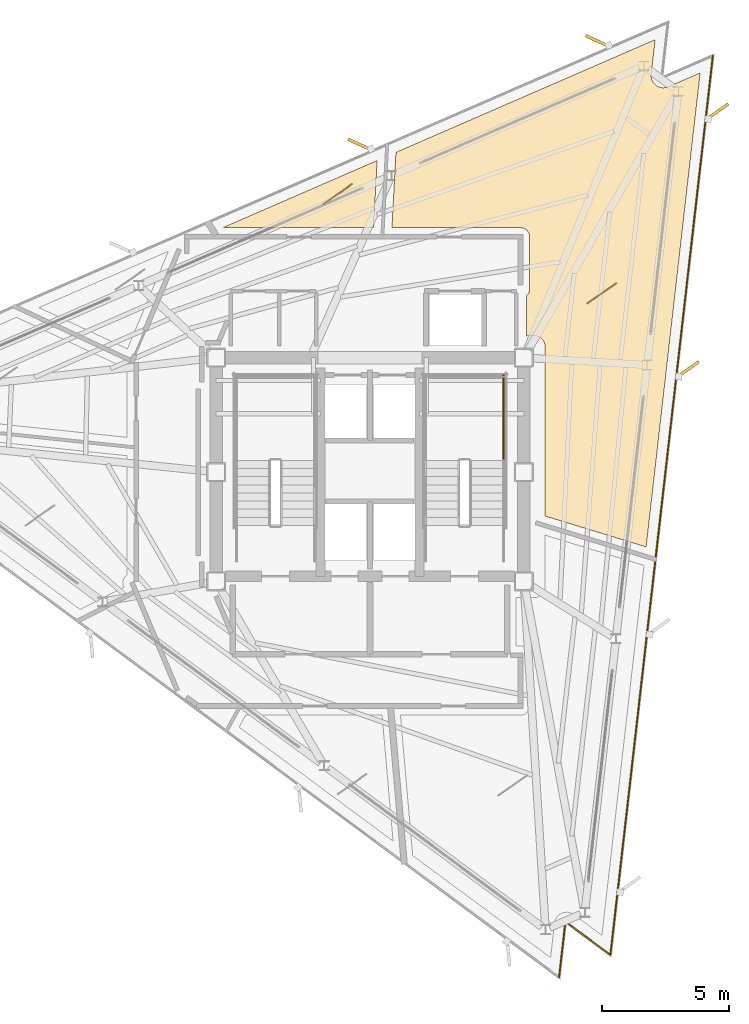
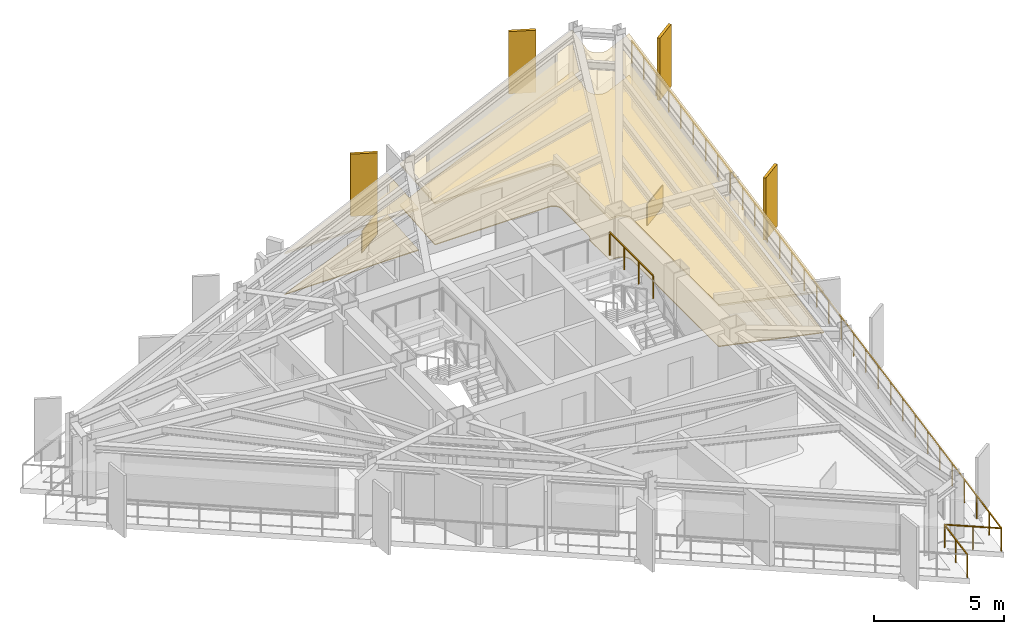
# One storey, part 10 of 10: 6 coverings, 4 shading devices, 2 railings.
"""IFC4 building model written with IfcOpenShell, lengths in metres."""

from ifc_helpers import new_model, si_unit, direction, frame, origin, origin_2d, place, context, subcontext, project, spatial, polyline, rectangle, outline, extrude, material, layer, layer_set, type_object, element, save


model = new_model("IFC4")

# Units and contexts
model_context = context("Model", 3, precision=1e-05, world=origin(), true_north=direction((0.0, 1.0)))
body_context = subcontext(model_context, "Body", "Model", "MODEL_VIEW")
ifc_project = project(units=[si_unit("LENGTHUNIT", "METRE"), si_unit("AREAUNIT", "SQUARE_METRE"), si_unit("VOLUMEUNIT", "CUBIC_METRE"), si_unit("PLANEANGLEUNIT", "RADIAN"), si_unit("MASSUNIT", "GRAM", prefix="KILO")], contexts=[model_context])

# Site, building, storey
site_placement = place(None, origin())
site = spatial("IfcSite", under=ifc_project, at=site_placement, CompositionType="ELEMENT")
building_placement = place(site_placement, origin())
building = spatial("IfcBuilding", under=site, at=building_placement, Name="Rocaltana Carrier Exchange", CompositionType="ELEMENT")
storey_placement = place(building_placement, frame((0.0, 0.0, 224.0)))
storey = spatial("IfcBuildingStorey", under=building, at=storey_placement, Name="L71", CompositionType="ELEMENT", Elevation=224.0)

# Coverings
ifc_material_1 = material(Name="Honed Bogota Sandstone Tile", Category="masonry")
ifc_layer_1 = layer(ifc_material_1, 0.0400390625)
ifc_layer_set_1 = layer_set([ifc_layer_1], Name="Honed Bogota Sandstone Tile")
covering_type_1 = type_object("IfcCoveringType", Name="Honed Stone Lobby Flooring 40", PredefinedType="FLOORING", material=ifc_layer_set_1)
covering_1_placement = place(storey_placement, origin())
element("IfcCovering", 1, at=covering_1_placement, inside=storey, type_object=covering_type_1, Name="L71 Cloud Architecture Office Finish Floor", PredefinedType="FLOORING", context=body_context, shape_type="SweptSolid", body=[
    extrude(outline(polyline([(6.159912109375, 6.931884765625), (6.16455078125, 6.93603515625), (6.18408203125, 6.955322265625), (6.189208984375, 6.961181640625), (6.206787109375, 6.982421875), (6.21142578125, 6.98876953125), (6.226806640625, 7.01171875), (6.230712890625, 7.018310546875), (6.24365234375, 7.04248046875), (6.2470703125, 7.0498046875), (6.257568359375, 7.0751953125), (6.26025390625, 7.08251953125), (6.268310546875, 7.108642578125), (6.27001953125, 7.116455078125), (6.275390625, 7.143310546875), (6.276611328125, 7.151123046875), (6.279296875, 7.178466796875), (6.27978515625, 7.186279296875), (6.280029296875, 7.199951171875), (6.280029296875, 9.25), (6.27978515625, 9.263671875), (6.279296875, 9.271484375), (6.276611328125, 9.298828125), (6.275390625, 9.306640625), (6.27001953125, 9.33349609375), (6.268310546875, 9.34130859375), (6.26025390625, 9.36767578125), (6.257568359375, 9.375), (6.2470703125, 9.400390625), (6.24365234375, 9.407470703125), (6.230712890625, 9.431640625), (6.226806640625, 9.4384765625), (6.21142578125, 9.461181640625), (6.206787109375, 9.467529296875), (6.189208984375, 9.48876953125), (6.18408203125, 9.49462890625), (6.16455078125, 9.513916015625), (6.15869140625, 9.519287109375), (6.137451171875, 9.53662109375), (6.131103515625, 9.54150390625), (6.1083984375, 9.556640625), (6.101806640625, 9.560791015625), (6.077392578125, 9.57373046875), (6.0703125, 9.576904296875), (6.044921875, 9.58740234375), (6.03759765625, 9.590087890625), (6.01123046875, 9.59814453125), (6.003662109375, 9.60009765625), (5.976806640625, 9.60546875), (5.968994140625, 9.606689453125), (5.941650390625, 9.609375), (5.93359375, 9.609619140625), (5.919921875, 9.610107421875), (0.864013671875, 9.610107421875), (1.01953125, 12.57421875), (11.217041015625, 17.00830078125), (11.06201171875, 15.648193359375), (11.060791015625, 15.634521484375), (11.0595703125, 15.614501953125), (11.05908203125, 15.586669921875), (11.059814453125, 15.566650390625), (11.062255859375, 15.538818359375), (11.06494140625, 15.51904296875), (11.070068359375, 15.49169921875), (11.07470703125, 15.472412109375), (11.08251953125, 15.445556640625), (11.089111328125, 15.4267578125), (11.099609375, 15.40087890625), (11.10791015625, 15.3828125), (11.12109375, 15.358154296875), (11.131103515625, 15.3408203125), (11.146484375, 15.317626953125), (11.158447265625, 15.301513671875), (11.176025390625, 15.27978515625), (11.189453125, 15.26513671875), (11.209228515625, 15.245361328125), (11.223876953125, 15.23193359375), (11.24560546875, 15.21435546875), (11.261474609375, 15.202392578125), (11.284912109375, 15.18701171875), (11.302001953125, 15.1767578125), (11.32666015625, 15.163818359375), (11.344482421875, 15.1552734375), (11.37060546875, 15.144775390625), (11.389404296875, 15.13818359375), (11.416015625, 15.130126953125), (11.435302734375, 15.12548828125), (11.462890625, 15.1201171875), (11.482666015625, 15.117431640625), (11.510498046875, 15.114990234375), (11.5302734375, 15.1142578125), (11.55810546875, 15.114501953125), (11.578125, 15.11572265625), (11.60595703125, 15.118896484375), (11.62548828125, 15.1220703125), (11.65283203125, 15.1279296875), (11.672119140625, 15.133056640625), (11.69873046875, 15.1416015625), (11.71728515625, 15.148681640625), (11.730224609375, 15.15380859375), (12.985595703125, 15.699462890625), (10.861328125, -2.944091796875), (6.889892578125, -1.72998046875), (6.889892578125, 4.919921875), (6.8896484375, 4.93359375), (6.888916015625, 4.949462890625), (6.88623046875, 4.976806640625), (6.8837890625, 4.9921875), (6.87841796875, 5.019287109375), (6.874755859375, 5.034423828125), (6.86669921875, 5.060791015625), (6.861572265625, 5.07568359375), (6.850830078125, 5.100830078125), (6.84423828125, 5.114990234375), (6.831298828125, 5.139404296875), (6.8232421875, 5.15283203125), (6.807861328125, 5.17578125), (6.798583984375, 5.188232421875), (6.781005859375, 5.20947265625), (6.7705078125, 5.22119140625), (6.751220703125, 5.240478515625), (6.739501953125, 5.251220703125), (6.71826171875, 5.2685546875), (6.705810546875, 5.27783203125), (6.682861328125, 5.293212890625), (6.66943359375, 5.30126953125), (6.64501953125, 5.314208984375), (6.630859375, 5.32080078125), (6.605712890625, 5.33154296875), (6.5908203125, 5.336669921875), (6.564453125, 5.3447265625), (6.54931640625, 5.348388671875), (6.522216796875, 5.35400390625), (6.5068359375, 5.356201171875), (6.4794921875, 5.35888671875), (6.463623046875, 5.359619140625), (6.449951171875, 5.360107421875), (6.159912109375, 5.360107421875), (6.159912109375, 6.931884765625)])), origin(), (0.0, 0.0, 1.0), 0.0400390625),
])
covering_2_placement = place(storey_placement, origin())
element("IfcCovering", 2, at=covering_2_placement, inside=storey, type_object=covering_type_1, Name="L71 Peering Conference Room Finish Floor", PredefinedType="FLOORING", context=body_context, shape_type="SweptSolid", body=[
    extrude(outline(polyline([(-5.797607421875, 9.610107421875), (0.28173828125, 12.25341796875), (0.14306640625, 9.610107421875), (-5.797607421875, 9.610107421875)])), origin(), (0.0, 0.0, 1.0), 0.0400390625),
])
ifc_material_2 = material(Name="Anodised Aluminium 6063-T6", Category="aluminium")
ifc_layer_2 = layer(ifc_material_2, 0.0849609375)
ifc_layer_set_2 = layer_set([ifc_layer_2], Name="Anodised Aluminium 6063-T6")
covering_type_2 = type_object("IfcCoveringType", Name="Linear Baffle Acoustic Ceiling 85", PredefinedType="CEILING", material=ifc_layer_set_2)
covering_3_placement = place(storey_placement, frame((0.0, 0.0, 1.903076171875)))
element("IfcCovering", 3, at=covering_3_placement, inside=storey, type_object=covering_type_2, Name="L71 Cloud Architecture Office Acoustic Ceiling", PredefinedType="CEILING", context=body_context, shape_type="SweptSolid", body=[
    extrude(outline(polyline([(6.159912109375, 6.931884765625), (6.16455078125, 6.93603515625), (6.18408203125, 6.955322265625), (6.189208984375, 6.961181640625), (6.206787109375, 6.982421875), (6.21142578125, 6.98876953125), (6.226806640625, 7.01171875), (6.230712890625, 7.018310546875), (6.24365234375, 7.04248046875), (6.2470703125, 7.0498046875), (6.257568359375, 7.0751953125), (6.26025390625, 7.08251953125), (6.268310546875, 7.108642578125), (6.27001953125, 7.116455078125), (6.275390625, 7.143310546875), (6.276611328125, 7.151123046875), (6.279296875, 7.178466796875), (6.27978515625, 7.186279296875), (6.280029296875, 7.199951171875), (6.280029296875, 9.25), (6.27978515625, 9.263671875), (6.279296875, 9.271484375), (6.276611328125, 9.298828125), (6.275390625, 9.306640625), (6.27001953125, 9.33349609375), (6.268310546875, 9.34130859375), (6.26025390625, 9.36767578125), (6.257568359375, 9.375), (6.2470703125, 9.400390625), (6.24365234375, 9.407470703125), (6.230712890625, 9.431640625), (6.226806640625, 9.4384765625), (6.21142578125, 9.461181640625), (6.206787109375, 9.467529296875), (6.189208984375, 9.48876953125), (6.18408203125, 9.49462890625), (6.16455078125, 9.513916015625), (6.15869140625, 9.519287109375), (6.137451171875, 9.53662109375), (6.131103515625, 9.54150390625), (6.1083984375, 9.556640625), (6.101806640625, 9.560791015625), (6.077392578125, 9.57373046875), (6.0703125, 9.576904296875), (6.044921875, 9.58740234375), (6.03759765625, 9.590087890625), (6.01123046875, 9.59814453125), (6.003662109375, 9.60009765625), (5.976806640625, 9.60546875), (5.968994140625, 9.606689453125), (5.941650390625, 9.609375), (5.93359375, 9.609619140625), (5.919921875, 9.610107421875), (0.864013671875, 9.610107421875), (1.01953125, 12.57421875), (11.217041015625, 17.00830078125), (11.06201171875, 15.648193359375), (11.060791015625, 15.634521484375), (11.0595703125, 15.614501953125), (11.05908203125, 15.586669921875), (11.059814453125, 15.566650390625), (11.062255859375, 15.538818359375), (11.06494140625, 15.51904296875), (11.070068359375, 15.49169921875), (11.07470703125, 15.472412109375), (11.08251953125, 15.445556640625), (11.089111328125, 15.4267578125), (11.099609375, 15.40087890625), (11.10791015625, 15.3828125), (11.12109375, 15.358154296875), (11.131103515625, 15.3408203125), (11.146484375, 15.317626953125), (11.158447265625, 15.301513671875), (11.176025390625, 15.27978515625), (11.189453125, 15.26513671875), (11.209228515625, 15.245361328125), (11.223876953125, 15.23193359375), (11.24560546875, 15.21435546875), (11.261474609375, 15.202392578125), (11.284912109375, 15.18701171875), (11.302001953125, 15.1767578125), (11.32666015625, 15.163818359375), (11.344482421875, 15.1552734375), (11.37060546875, 15.144775390625), (11.389404296875, 15.13818359375), (11.416015625, 15.130126953125), (11.435302734375, 15.12548828125), (11.462890625, 15.1201171875), (11.482666015625, 15.117431640625), (11.510498046875, 15.114990234375), (11.5302734375, 15.1142578125), (11.55810546875, 15.114501953125), (11.578125, 15.11572265625), (11.60595703125, 15.118896484375), (11.62548828125, 15.1220703125), (11.65283203125, 15.1279296875), (11.672119140625, 15.133056640625), (11.69873046875, 15.1416015625), (11.71728515625, 15.148681640625), (11.730224609375, 15.15380859375), (12.985595703125, 15.699462890625), (10.861328125, -2.944091796875), (6.889892578125, -1.72998046875), (6.889892578125, 4.919921875), (6.8896484375, 4.93359375), (6.888916015625, 4.949462890625), (6.88623046875, 4.976806640625), (6.8837890625, 4.9921875), (6.87841796875, 5.019287109375), (6.874755859375, 5.034423828125), (6.86669921875, 5.060791015625), (6.861572265625, 5.07568359375), (6.850830078125, 5.100830078125), (6.84423828125, 5.114990234375), (6.831298828125, 5.139404296875), (6.8232421875, 5.15283203125), (6.807861328125, 5.17578125), (6.798583984375, 5.188232421875), (6.781005859375, 5.20947265625), (6.7705078125, 5.22119140625), (6.751220703125, 5.240478515625), (6.739501953125, 5.251220703125), (6.71826171875, 5.2685546875), (6.705810546875, 5.27783203125), (6.682861328125, 5.293212890625), (6.66943359375, 5.30126953125), (6.64501953125, 5.314208984375), (6.630859375, 5.32080078125), (6.605712890625, 5.33154296875), (6.5908203125, 5.336669921875), (6.564453125, 5.3447265625), (6.54931640625, 5.348388671875), (6.522216796875, 5.35400390625), (6.5068359375, 5.356201171875), (6.4794921875, 5.35888671875), (6.463623046875, 5.359619140625), (6.449951171875, 5.360107421875), (6.159912109375, 5.360107421875), (6.159912109375, 6.931884765625)])), origin(), (0.0, 0.0, 1.0), 0.0849609375),
])
covering_4_placement = place(storey_placement, frame((0.0, 0.0, 1.903076171875)))
element("IfcCovering", 4, at=covering_4_placement, inside=storey, type_object=covering_type_2, Name="L71 Peering Conference Room Acoustic Ceiling", PredefinedType="CEILING", context=body_context, shape_type="SweptSolid", body=[
    extrude(outline(polyline([(-5.797607421875, 9.610107421875), (0.28173828125, 12.25341796875), (0.14306640625, 9.610107421875), (-5.797607421875, 9.610107421875)])), origin(), (0.0, 0.0, 1.0), 0.0849609375),
])

# Railing
ifc_material_3 = material(Name="Powder-Coated Aluminium 6063-T6", Category="aluminium")
ifc_layer_3 = layer(ifc_material_3, 0.048095703125)
ifc_layer_set_3 = layer_set([ifc_layer_3], Name="Powder-Coated Aluminium 6063-T6")
railing_type_1 = type_object("IfcRailingType", Name="Stair Well Guardrail 1100", PredefinedType="GUARDRAIL", material=ifc_layer_set_3)
railing_1_placement = place(storey_placement, frame((5.25, 0.4599609375, 1.52001953125)))
element("IfcRailing", 5, at=railing_1_placement, inside=storey, type_object=railing_type_1, Name="L71 ST-2 stair guard 3", PredefinedType="GUARDRAIL", context=body_context, shape_type="SweptSolid", body=[
    extrude(rectangle(XDim=0.048095703125, YDim=0.048095703125, at=origin_2d()), frame((0.0, 0.0, 1.076171875), z_axis=(0.0, 1.0, 0.0), x_axis=(-1.0, 0.0, 0.0)), (0.0, 0.0, 1.0), 3.340087890625),
    extrude(rectangle(XDim=0.0419921875, YDim=0.0419921875, at=origin_2d()), origin(), (0.0, 0.0, 1.0), 1.052001953125),
    extrude(rectangle(XDim=0.0419921875, YDim=0.0419921875, at=origin_2d()), frame((0.0, 1.11328125, 0.0)), (0.0, 0.0, 1.0), 1.052001953125),
    extrude(rectangle(XDim=0.0419921875, YDim=0.0419921875, at=origin_2d()), frame((0.0, 2.226806640625, 0.0)), (0.0, 0.0, 1.0), 1.052001953125),
    extrude(rectangle(XDim=0.0419921875, YDim=0.0419921875, at=origin_2d()), frame((0.0, 3.340087890625, 0.0)), (0.0, 0.0, 1.0), 1.052001953125),
])

# Coverings
ifc_material_4 = material(Name="Honed Piedra Muneca Sandstone", Category="masonry")
ifc_layer_4 = layer(ifc_material_4, 0.034912109375)
ifc_layer_set_4 = layer_set([ifc_layer_4], Name="Honed Piedra Muneca Sandstone")
covering_type_3 = type_object("IfcCoveringType", Name="Stone Facade Cladding 35", PredefinedType="CLADDING", material=ifc_layer_set_4)
for number, where, z_axis, x_axis, name in (
    (6, (9.117431640625, 7.030517578125, 0.0), (0.0, 0.0, 1.0), (0.819152044289, 0.573576436351, 0.0), "L71 Stone Facade Cladding Panel 4"),
    (7, (-1.272705078125, 10.931640625, 0.0), (0.0, 0.0, 1.0), (0.819152044289, 0.573576436351, 0.0), "L71 Stone Facade Cladding Panel 5"),
):
    element("IfcCovering", number, at=place(storey_placement, frame(where, z_axis=z_axis, x_axis=x_axis)), inside=storey, type_object=covering_type_3, Name=name, PredefinedType="CLADDING", context=body_context, shape_type="SweptSolid", body=[
        extrude(rectangle(XDim=1.39990234375, YDim=0.034912109375, at=origin_2d()), origin(), (0.0, 0.0, 1.0), 1.050048828125),
    ])

# Shading devices
ifc_material_5 = material(Name="Honed Bogota Sandstone & Concrete C45/55", Category="masonry")
ifc_layer_5 = layer(ifc_material_5, 0.1201171875)
ifc_layer_set_5 = layer_set([ifc_layer_5], Name="Honed Bogota Sandstone & Concrete C45/55")
shading_device_type = type_object("IfcShadingDeviceType", Name="Upper Sandstone Shading Fin 1050x120", PredefinedType="USERDEFINED", material=ifc_layer_set_5)
for number, where, z_axis, x_axis, name in (
    (8, (12.502197265625, 4.03515625, -0.119873046875), (0.0, 0.0, 1.0), (0.814115518356, 0.580702955711, 0.0), "L71 Sandstone Vertical Fin F1-03"),
    (9, (13.656982421875, 14.169677734375, -0.119873046875), (0.0, 0.0, 1.0), (0.814115518356, 0.580702955711, 0.0), "L71 Sandstone Vertical Fin F1-04"),
    (10, (8.96240234375, 16.944091796875, -0.119873046875), (0.0, 0.0, 1.0), (-0.909961270877, 0.414693242656, 0.0), "L71 Sandstone Vertical Fin F2-01"),
    (11, (-0.3916015625, 12.876953125, -0.119873046875), (0.0, 0.0, 1.0), (-0.909961270877, 0.414693242656, 0.0), "L71 Sandstone Vertical Fin F2-02"),
):
    element("IfcShadingDevice", number, at=place(storey_placement, frame(where, z_axis=z_axis, x_axis=x_axis)), inside=storey, type_object=shading_device_type, Name=name, ObjectType="FIN", PredefinedType="USERDEFINED", context=body_context, shape_type="SweptSolid", body=[
        extrude(rectangle(XDim=1.050048828125, YDim=0.1201171875, at=origin_2d()), origin(), (0.0, 0.0, 1.0), 2.91796875),
    ])

# Railing
ifc_material_6 = material(Name="Powder-Coated Aluminium 6063-T6", Category="aluminium")
ifc_layer_6 = layer(ifc_material_6, 0.06005859375)
ifc_layer_set_6 = layer_set([ifc_layer_6], Name="Powder-Coated Aluminium 6063-T6")
railing_type_2 = type_object("IfcRailingType", Name="Wind-Floor & Terrace Perimeter Guardrail 1100", PredefinedType="GUARDRAIL", material=ifc_layer_set_6)
railing_2_placement = place(storey_placement, frame((13.485107421875, 16.374755859375, 0.0)))
element("IfcRailing", 12, at=railing_2_placement, inside=storey, type_object=railing_type_2, Name="L71 Perimeter Balcony Guardrail 3", PredefinedType="GUARDRAIL", context=body_context, shape_type="SweptSolid", body=[
    extrude(rectangle(XDim=0.048095703125, YDim=0.048095703125, at=origin_2d()), frame((0.0, 0.0, 1.076171875), z_axis=(-0.113200877656, -0.99357212184, 0.0), x_axis=(0.99357212184, -0.113200877656, 0.0)), (0.0, 0.0, 1.0), 35.592041015625),
    extrude(rectangle(XDim=0.048095703125, YDim=0.048095703125, at=origin_2d()), frame((-4.029052734375, -35.36328125, 1.076171875), z_axis=(-0.803871612758, 0.59480284986, 0.0), x_axis=(-0.59480284986, -0.803871612758, 0.0)), (0.0, 0.0, 1.0), 2.199951171875),
    extrude(rectangle(XDim=0.048095703125, YDim=0.048095703125, at=origin_2d()), frame((-5.797607421875, -34.0546875, 1.076171875), z_axis=(-0.113183557839, -0.99357409499, 0.0), x_axis=(0.99357409499, -0.113183557839, 0.0)), (0.0, 0.0, 1.0), 2.2001953125),
    extrude(rectangle(XDim=0.0419921875, YDim=0.0419921875, at=origin_2d()), origin(), (0.0, 0.0, 1.0), 1.052001953125),
    extrude(rectangle(XDim=0.0419921875, YDim=0.0419921875, at=origin_2d()), frame((-0.13427734375, -1.1787109375, 0.0)), (0.0, 0.0, 1.0), 1.052001953125),
    extrude(rectangle(XDim=0.0419921875, YDim=0.0419921875, at=origin_2d()), frame((-0.2685546875, -2.357666015625, 0.0)), (0.0, 0.0, 1.0), 1.052001953125),
    extrude(rectangle(XDim=0.0419921875, YDim=0.0419921875, at=origin_2d()), frame((-0.40283203125, -3.536376953125, 0.0)), (0.0, 0.0, 1.0), 1.052001953125),
    extrude(rectangle(XDim=0.0419921875, YDim=0.0419921875, at=origin_2d()), frame((-0.537109375, -4.715087890625, 0.0)), (0.0, 0.0, 1.0), 1.052001953125),
    extrude(rectangle(XDim=0.0419921875, YDim=0.0419921875, at=origin_2d()), frame((-0.67138671875, -5.893798828125, 0.0)), (0.0, 0.0, 1.0), 1.052001953125),
    extrude(rectangle(XDim=0.0419921875, YDim=0.0419921875, at=origin_2d()), frame((-0.805908203125, -7.07275390625, 0.0)), (0.0, 0.0, 1.0), 1.052001953125),
    extrude(rectangle(XDim=0.0419921875, YDim=0.0419921875, at=origin_2d()), frame((-0.940185546875, -8.25146484375, 0.0)), (0.0, 0.0, 1.0), 1.052001953125),
    extrude(rectangle(XDim=0.0419921875, YDim=0.0419921875, at=origin_2d()), frame((-1.074462890625, -9.43017578125, 0.0)), (0.0, 0.0, 1.0), 1.052001953125),
    extrude(rectangle(XDim=0.0419921875, YDim=0.0419921875, at=origin_2d()), frame((-1.208740234375, -10.60888671875, 0.0)), (0.0, 0.0, 1.0), 1.052001953125),
    extrude(rectangle(XDim=0.0419921875, YDim=0.0419921875, at=origin_2d()), frame((-1.343017578125, -11.787841796875, 0.0)), (0.0, 0.0, 1.0), 1.052001953125),
    extrude(rectangle(XDim=0.0419921875, YDim=0.0419921875, at=origin_2d()), frame((-1.477294921875, -12.966552734375, 0.0)), (0.0, 0.0, 1.0), 1.052001953125),
    extrude(rectangle(XDim=0.0419921875, YDim=0.0419921875, at=origin_2d()), frame((-1.611572265625, -14.145263671875, 0.0)), (0.0, 0.0, 1.0), 1.052001953125),
    extrude(rectangle(XDim=0.0419921875, YDim=0.0419921875, at=origin_2d()), frame((-1.745849609375, -15.323974609375, 0.0)), (0.0, 0.0, 1.0), 1.052001953125),
    extrude(rectangle(XDim=0.0419921875, YDim=0.0419921875, at=origin_2d()), frame((-1.880126953125, -16.5029296875, 0.0)), (0.0, 0.0, 1.0), 1.052001953125),
    extrude(rectangle(XDim=0.0419921875, YDim=0.0419921875, at=origin_2d()), frame((-2.0146484375, -17.681640625, 0.0)), (0.0, 0.0, 1.0), 1.052001953125),
    extrude(rectangle(XDim=0.0419921875, YDim=0.0419921875, at=origin_2d()), frame((-2.14892578125, -18.8603515625, 0.0)), (0.0, 0.0, 1.0), 1.052001953125),
    extrude(rectangle(XDim=0.0419921875, YDim=0.0419921875, at=origin_2d()), frame((-2.283203125, -20.039306640625, 0.0)), (0.0, 0.0, 1.0), 1.052001953125),
    extrude(rectangle(XDim=0.0419921875, YDim=0.0419921875, at=origin_2d()), frame((-2.41748046875, -21.218017578125, 0.0)), (0.0, 0.0, 1.0), 1.052001953125),
    extrude(rectangle(XDim=0.0419921875, YDim=0.0419921875, at=origin_2d()), frame((-2.5517578125, -22.396728515625, 0.0)), (0.0, 0.0, 1.0), 1.052001953125),
    extrude(rectangle(XDim=0.0419921875, YDim=0.0419921875, at=origin_2d()), frame((-2.68603515625, -23.575439453125, 0.0)), (0.0, 0.0, 1.0), 1.052001953125),
    extrude(rectangle(XDim=0.0419921875, YDim=0.0419921875, at=origin_2d()), frame((-2.8203125, -24.75439453125, 0.0)), (0.0, 0.0, 1.0), 1.052001953125),
    extrude(rectangle(XDim=0.0419921875, YDim=0.0419921875, at=origin_2d()), frame((-2.95458984375, -25.93310546875, 0.0)), (0.0, 0.0, 1.0), 1.052001953125),
    extrude(rectangle(XDim=0.0419921875, YDim=0.0419921875, at=origin_2d()), frame((-3.0888671875, -27.11181640625, 0.0)), (0.0, 0.0, 1.0), 1.052001953125),
    extrude(rectangle(XDim=0.0419921875, YDim=0.0419921875, at=origin_2d()), frame((-3.22314453125, -28.29052734375, 0.0)), (0.0, 0.0, 1.0), 1.052001953125),
    extrude(rectangle(XDim=0.0419921875, YDim=0.0419921875, at=origin_2d()), frame((-3.357421875, -29.469482421875, 0.0)), (0.0, 0.0, 1.0), 1.052001953125),
    extrude(rectangle(XDim=0.0419921875, YDim=0.0419921875, at=origin_2d()), frame((-3.491943359375, -30.648193359375, 0.0)), (0.0, 0.0, 1.0), 1.052001953125),
    extrude(rectangle(XDim=0.0419921875, YDim=0.0419921875, at=origin_2d()), frame((-3.626220703125, -31.826904296875, 0.0)), (0.0, 0.0, 1.0), 1.052001953125),
    extrude(rectangle(XDim=0.0419921875, YDim=0.0419921875, at=origin_2d()), frame((-3.760498046875, -33.005615234375, 0.0)), (0.0, 0.0, 1.0), 1.052001953125),
    extrude(rectangle(XDim=0.0419921875, YDim=0.0419921875, at=origin_2d()), frame((-3.894775390625, -34.1845703125, 0.0)), (0.0, 0.0, 1.0), 1.052001953125),
    extrude(rectangle(XDim=0.0419921875, YDim=0.0419921875, at=origin_2d()), frame((-4.029052734375, -35.36328125, 0.0)), (0.0, 0.0, 1.0), 1.052001953125),
    extrude(rectangle(XDim=0.0419921875, YDim=0.0419921875, at=origin_2d()), frame((-4.913330078125, -34.708984375, 0.0)), (0.0, 0.0, 1.0), 1.052001953125),
    extrude(rectangle(XDim=0.0419921875, YDim=0.0419921875, at=origin_2d()), frame((-5.797607421875, -34.0546875, 0.0)), (0.0, 0.0, 1.0), 1.052001953125),
    extrude(rectangle(XDim=0.0419921875, YDim=0.0419921875, at=origin_2d()), frame((-5.922119140625, -35.147705078125, 0.0)), (0.0, 0.0, 1.0), 1.052001953125),
    extrude(rectangle(XDim=0.0419921875, YDim=0.0419921875, at=origin_2d()), frame((-6.046630859375, -36.24072265625, 0.0)), (0.0, 0.0, 1.0), 1.052001953125),
])

save(model, "model.ifc")
